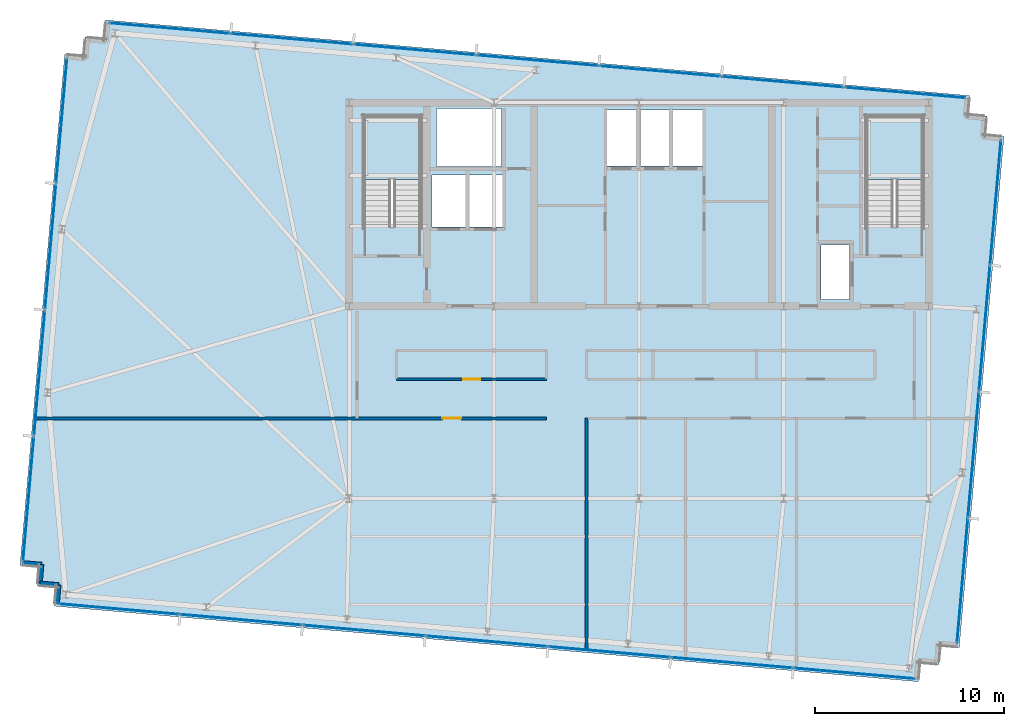
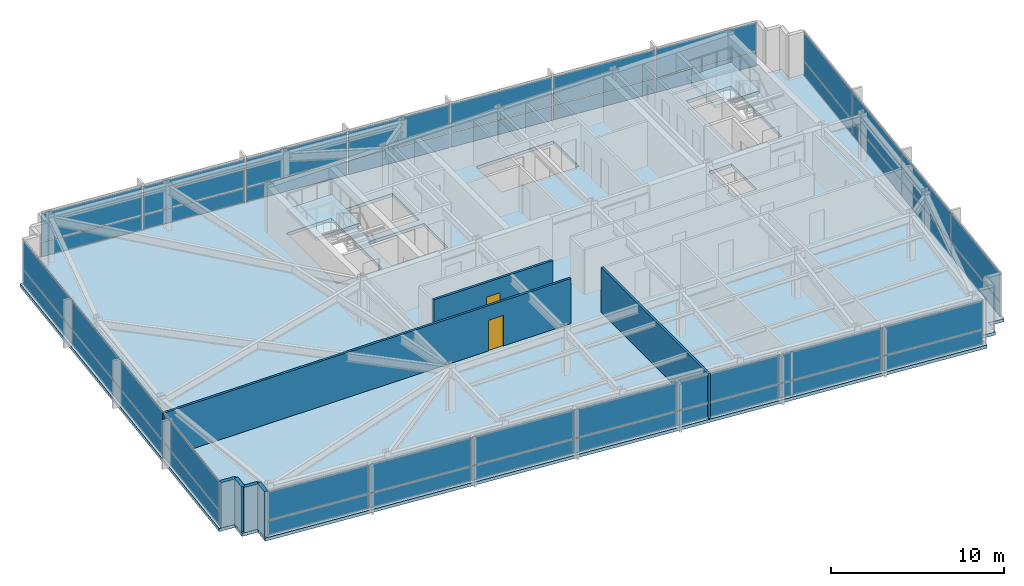
# One storey, part 17 of 24: 44 plates, 7 walls, 3 slabs, 2 doors, 2 openings, 6 elements without a shape of their own.
"""IFC4 building model written with IfcOpenShell, lengths in metres."""

from ifc_helpers import new_model, si_unit, direction, frame, frame_2d, origin, origin_2d, place, context, subcontext, project, spatial, polyline, rectangle, outline, extrude, material, layer, layer_set, type_object, element, fill, aggregate, save


model = new_model("IFC4")

# Units and contexts
model_context = context("Model", 3, precision=1e-05, world=origin(), true_north=direction((0.0, 1.0)))
body_context = subcontext(model_context, "Body", "Model", "MODEL_VIEW")
ifc_project = project(units=[si_unit("LENGTHUNIT", "METRE"), si_unit("AREAUNIT", "SQUARE_METRE"), si_unit("VOLUMEUNIT", "CUBIC_METRE"), si_unit("PLANEANGLEUNIT", "RADIAN"), si_unit("MASSUNIT", "GRAM", prefix="KILO")], contexts=[model_context])

# Site, building, storey
site_placement = place(None, origin())
site = spatial("IfcSite", under=ifc_project, at=site_placement, CompositionType="ELEMENT")
building_placement = place(site_placement, origin())
building = spatial("IfcBuilding", under=site, at=building_placement, Name="Yelkora Congress Tower", CompositionType="ELEMENT")
storey_placement = place(building_placement, frame((0.0, 0.0, 296.5)))
storey = spatial("IfcBuildingStorey", under=building, at=storey_placement, Name="L83", CompositionType="ELEMENT", Elevation=296.5)

# Curtain wall, plates
ifc_material_1 = material(Name="Anodised aluminium and insulated glass", Category="aluminium")
curtain_wall_type = type_object("IfcCurtainWallType", Name="CW-SYS-SKY", PredefinedType="NOTDEFINED", material=ifc_material_1)
curtain_wall_1_placement = place(storey_placement, origin())
curtain_wall_1 = element("IfcCurtainWall", 1, at=curtain_wall_1_placement, inside=storey, type_object=curtain_wall_type, Name="L83 Unitised Curtain Wall 5", PredefinedType="NOTDEFINED")
ifc_material_2 = material(Name="Structural laminated sky-lobby glass", Category="glass")
ifc_layer_1 = layer(ifc_material_2, 0.048095703125)
ifc_layer_set_1 = layer_set([ifc_layer_1], Name="Structural laminated sky-lobby glass")
plate_type = type_object("IfcPlateType", Name="PLT-PN-SKY", PredefinedType="CURTAIN_PANEL", material=ifc_layer_set_1)
plate_1_placement = place(storey_placement, frame((6.02197265625, 25.1630859375, 0.06982421875), z_axis=(0.0, 0.0, 1.0), x_axis=(0.08715473876, 0.996194785929, 0.0)))
plate_1 = element("IfcPlate", 2, at=plate_1_placement, type_object=plate_type, Name="CW-SKY panel 1.1", PredefinedType="CURTAIN_PANEL", context=body_context, shape_type="SweptSolid", body=[
    extrude(rectangle(XDim=6.617431640625, YDim=0.048095703125, at=origin_2d()), origin(), (0.0, 0.0, 1.0), 0.9951171875),
])
plate_2_placement = place(storey_placement, frame((6.02197265625, 25.1630859375, 1.135009765625), z_axis=(0.0, 0.0, 1.0), x_axis=(0.08715473876, 0.996194785929, 0.0)))
plate_2 = element("IfcPlate", 3, at=plate_2_placement, type_object=plate_type, Name="CW-SKY panel 1.2", PredefinedType="CURTAIN_PANEL", context=body_context, shape_type="SweptSolid", body=[
    extrude(rectangle(XDim=6.617431640625, YDim=0.048095703125, at=origin_2d()), origin(), (0.0, 0.0, 1.0), 1.97509765625),
])
plate_3_placement = place(storey_placement, frame((6.60693359375, 31.848876953125, 0.06982421875), z_axis=(0.0, 0.0, 1.0), x_axis=(0.08715473876, 0.996194785929, 0.0)))
plate_3 = element("IfcPlate", 4, at=plate_3_placement, type_object=plate_type, Name="CW-SKY panel 2.1", PredefinedType="CURTAIN_PANEL", context=body_context, shape_type="SweptSolid", body=[
    extrude(rectangle(XDim=6.655029296875, YDim=0.048095703125, at=origin_2d()), origin(), (0.0, 0.0, 1.0), 0.9951171875),
])
plate_4_placement = place(storey_placement, frame((6.60693359375, 31.848876953125, 1.135009765625), z_axis=(0.0, 0.0, 1.0), x_axis=(0.08715473876, 0.996194785929, 0.0)))
plate_4 = element("IfcPlate", 5, at=plate_4_placement, type_object=plate_type, Name="CW-SKY panel 2.2", PredefinedType="CURTAIN_PANEL", context=body_context, shape_type="SweptSolid", body=[
    extrude(rectangle(XDim=6.655029296875, YDim=0.048095703125, at=origin_2d()), origin(), (0.0, 0.0, 1.0), 1.97509765625),
])
plate_5_placement = place(storey_placement, frame((7.193359375, 38.55322265625, 0.06982421875), z_axis=(0.0, 0.0, 1.0), x_axis=(0.08715473876, 0.996194785929, 0.0)))
plate_5 = element("IfcPlate", 6, at=plate_5_placement, type_object=plate_type, Name="CW-SKY panel 3.1", PredefinedType="CURTAIN_PANEL", context=body_context, shape_type="SweptSolid", body=[
    extrude(rectangle(XDim=6.655029296875, YDim=0.048095703125, at=origin_2d()), origin(), (0.0, 0.0, 1.0), 0.9951171875),
])
plate_6_placement = place(storey_placement, frame((7.193359375, 38.55322265625, 1.135009765625), z_axis=(0.0, 0.0, 1.0), x_axis=(0.08715473876, 0.996194785929, 0.0)))
plate_6 = element("IfcPlate", 7, at=plate_6_placement, type_object=plate_type, Name="CW-SKY panel 3.2", PredefinedType="CURTAIN_PANEL", context=body_context, shape_type="SweptSolid", body=[
    extrude(rectangle(XDim=6.655029296875, YDim=0.048095703125, at=origin_2d()), origin(), (0.0, 0.0, 1.0), 1.97509765625),
])
plate_7_placement = place(storey_placement, frame((7.7783203125, 45.23876953125, 0.06982421875), z_axis=(0.0, 0.0, 1.0), x_axis=(0.08715473876, 0.996194785929, 0.0)))
plate_7 = element("IfcPlate", 8, at=plate_7_placement, type_object=plate_type, Name="CW-SKY panel 4.1", PredefinedType="CURTAIN_PANEL", context=body_context, shape_type="SweptSolid", body=[
    extrude(rectangle(XDim=6.617431640625, YDim=0.048095703125, at=origin_2d()), origin(), (0.0, 0.0, 1.0), 0.9951171875),
])
plate_8_placement = place(storey_placement, frame((7.7783203125, 45.23876953125, 1.135009765625), z_axis=(0.0, 0.0, 1.0), x_axis=(0.08715473876, 0.996194785929, 0.0)))
plate_8 = element("IfcPlate", 9, at=plate_8_placement, type_object=plate_type, Name="CW-SKY panel 4.2", PredefinedType="CURTAIN_PANEL", context=body_context, shape_type="SweptSolid", body=[
    extrude(rectangle(XDim=6.617431640625, YDim=0.048095703125, at=origin_2d()), origin(), (0.0, 0.0, 1.0), 1.97509765625),
])
aggregate(curtain_wall_1, [plate_1, plate_2, plate_3, plate_4, plate_5, plate_6, plate_7, plate_8])

curtain_wall_2_placement = place(storey_placement, origin())
curtain_wall_2 = element("IfcCurtainWall", 10, at=curtain_wall_2_placement, inside=storey, type_object=curtain_wall_type, Name="L83 Unitised Curtain Wall 10", PredefinedType="NOTDEFINED")
plate_9_placement = place(storey_placement, frame((13.511962890625, 50.1416015625, 0.06982421875), z_axis=(0.0, 0.0, 1.0), x_axis=(0.996194619601, -0.087156639893, 0.0)))
plate_9 = element("IfcPlate", 11, at=plate_9_placement, type_object=plate_type, Name="CW-SKY panel 1.1", PredefinedType="CURTAIN_PANEL", context=body_context, shape_type="SweptSolid", body=[
    extrude(rectangle(XDim=6.4189453125, YDim=0.048095703125, at=origin_2d()), origin(), (0.0, 0.0, 1.0), 0.9951171875),
])
plate_10_placement = place(storey_placement, frame((13.511962890625, 50.1416015625, 1.135009765625), z_axis=(0.0, 0.0, 1.0), x_axis=(0.996194619601, -0.087156639893, 0.0)))
plate_10 = element("IfcPlate", 12, at=plate_10_placement, type_object=plate_type, Name="CW-SKY panel 1.2", PredefinedType="CURTAIN_PANEL", context=body_context, shape_type="SweptSolid", body=[
    extrude(rectangle(XDim=6.4189453125, YDim=0.048095703125, at=origin_2d()), origin(), (0.0, 0.0, 1.0), 1.97509765625),
])
plate_11_placement = place(storey_placement, frame((19.999755859375, 49.573974609375, 0.06982421875), z_axis=(0.0, 0.0, 1.0), x_axis=(0.996194619601, -0.087156639893, 0.0)))
plate_11 = element("IfcPlate", 13, at=plate_11_placement, type_object=plate_type, Name="CW-SKY panel 2.1", PredefinedType="CURTAIN_PANEL", context=body_context, shape_type="SweptSolid", body=[
    extrude(rectangle(XDim=6.45654296875, YDim=0.048095703125, at=origin_2d()), origin(), (0.0, 0.0, 1.0), 0.9951171875),
])
plate_12_placement = place(storey_placement, frame((19.999755859375, 49.573974609375, 1.135009765625), z_axis=(0.0, 0.0, 1.0), x_axis=(0.996194619601, -0.087156639893, 0.0)))
plate_12 = element("IfcPlate", 14, at=plate_12_placement, type_object=plate_type, Name="CW-SKY panel 2.2", PredefinedType="CURTAIN_PANEL", context=body_context, shape_type="SweptSolid", body=[
    extrude(rectangle(XDim=6.45654296875, YDim=0.048095703125, at=origin_2d()), origin(), (0.0, 0.0, 1.0), 1.97509765625),
])
plate_13_placement = place(storey_placement, frame((26.50634765625, 49.004638671875, 0.06982421875), z_axis=(0.0, 0.0, 1.0), x_axis=(0.996194619601, -0.087156639893, 0.0)))
plate_13 = element("IfcPlate", 15, at=plate_13_placement, type_object=plate_type, Name="CW-SKY panel 3.1", PredefinedType="CURTAIN_PANEL", context=body_context, shape_type="SweptSolid", body=[
    extrude(rectangle(XDim=6.45654296875, YDim=0.048095703125, at=origin_2d()), origin(), (0.0, 0.0, 1.0), 0.9951171875),
])
plate_14_placement = place(storey_placement, frame((26.50634765625, 49.004638671875, 1.135009765625), z_axis=(0.0, 0.0, 1.0), x_axis=(0.996194619601, -0.087156639893, 0.0)))
plate_14 = element("IfcPlate", 16, at=plate_14_placement, type_object=plate_type, Name="CW-SKY panel 3.2", PredefinedType="CURTAIN_PANEL", context=body_context, shape_type="SweptSolid", body=[
    extrude(rectangle(XDim=6.45654296875, YDim=0.048095703125, at=origin_2d()), origin(), (0.0, 0.0, 1.0), 1.97509765625),
])
plate_15_placement = place(storey_placement, frame((33.012939453125, 48.435302734375, 0.06982421875), z_axis=(0.0, 0.0, 1.0), x_axis=(0.996194619601, -0.087156639893, 0.0)))
plate_15 = element("IfcPlate", 17, at=plate_15_placement, type_object=plate_type, Name="CW-SKY panel 4.1", PredefinedType="CURTAIN_PANEL", context=body_context, shape_type="SweptSolid", body=[
    extrude(rectangle(XDim=6.45654296875, YDim=0.048095703125, at=origin_2d()), origin(), (0.0, 0.0, 1.0), 0.9951171875),
])
plate_16_placement = place(storey_placement, frame((33.012939453125, 48.435302734375, 1.135009765625), z_axis=(0.0, 0.0, 1.0), x_axis=(0.996194619601, -0.087156639893, 0.0)))
plate_16 = element("IfcPlate", 18, at=plate_16_placement, type_object=plate_type, Name="CW-SKY panel 4.2", PredefinedType="CURTAIN_PANEL", context=body_context, shape_type="SweptSolid", body=[
    extrude(rectangle(XDim=6.45654296875, YDim=0.048095703125, at=origin_2d()), origin(), (0.0, 0.0, 1.0), 1.97509765625),
])
plate_17_placement = place(storey_placement, frame((39.51953125, 47.8662109375, 0.06982421875), z_axis=(0.0, 0.0, 1.0), x_axis=(0.996194619601, -0.087156639893, 0.0)))
plate_17 = element("IfcPlate", 19, at=plate_17_placement, type_object=plate_type, Name="CW-SKY panel 5.1", PredefinedType="CURTAIN_PANEL", context=body_context, shape_type="SweptSolid", body=[
    extrude(rectangle(XDim=6.45654296875, YDim=0.048095703125, at=origin_2d()), origin(), (0.0, 0.0, 1.0), 0.9951171875),
])
plate_18_placement = place(storey_placement, frame((39.51953125, 47.8662109375, 1.135009765625), z_axis=(0.0, 0.0, 1.0), x_axis=(0.996194619601, -0.087156639893, 0.0)))
plate_18 = element("IfcPlate", 20, at=plate_18_placement, type_object=plate_type, Name="CW-SKY panel 5.2", PredefinedType="CURTAIN_PANEL", context=body_context, shape_type="SweptSolid", body=[
    extrude(rectangle(XDim=6.45654296875, YDim=0.048095703125, at=origin_2d()), origin(), (0.0, 0.0, 1.0), 1.97509765625),
])
plate_19_placement = place(storey_placement, frame((46.026123046875, 47.296875, 0.06982421875), z_axis=(0.0, 0.0, 1.0), x_axis=(0.996194619601, -0.087156639893, 0.0)))
plate_19 = element("IfcPlate", 21, at=plate_19_placement, type_object=plate_type, Name="CW-SKY panel 6.1", PredefinedType="CURTAIN_PANEL", context=body_context, shape_type="SweptSolid", body=[
    extrude(rectangle(XDim=6.45654296875, YDim=0.048095703125, at=origin_2d()), origin(), (0.0, 0.0, 1.0), 0.9951171875),
])
plate_20_placement = place(storey_placement, frame((46.026123046875, 47.296875, 1.135009765625), z_axis=(0.0, 0.0, 1.0), x_axis=(0.996194619601, -0.087156639893, 0.0)))
plate_20 = element("IfcPlate", 22, at=plate_20_placement, type_object=plate_type, Name="CW-SKY panel 6.2", PredefinedType="CURTAIN_PANEL", context=body_context, shape_type="SweptSolid", body=[
    extrude(rectangle(XDim=6.45654296875, YDim=0.048095703125, at=origin_2d()), origin(), (0.0, 0.0, 1.0), 1.97509765625),
])
plate_21_placement = place(storey_placement, frame((52.513916015625, 46.729248046875, 0.06982421875), z_axis=(0.0, 0.0, 1.0), x_axis=(0.996194619601, -0.087156639893, 0.0)))
plate_21 = element("IfcPlate", 23, at=plate_21_placement, type_object=plate_type, Name="CW-SKY panel 7.1", PredefinedType="CURTAIN_PANEL", context=body_context, shape_type="SweptSolid", body=[
    extrude(rectangle(XDim=6.4189453125, YDim=0.048095703125, at=origin_2d()), origin(), (0.0, 0.0, 1.0), 0.9951171875),
])
plate_22_placement = place(storey_placement, frame((52.513916015625, 46.729248046875, 1.135009765625), z_axis=(0.0, 0.0, 1.0), x_axis=(0.996194619601, -0.087156639893, 0.0)))
plate_22 = element("IfcPlate", 24, at=plate_22_placement, type_object=plate_type, Name="CW-SKY panel 7.2", PredefinedType="CURTAIN_PANEL", context=body_context, shape_type="SweptSolid", body=[
    extrude(rectangle(XDim=6.4189453125, YDim=0.048095703125, at=origin_2d()), origin(), (0.0, 0.0, 1.0), 1.97509765625),
])
aggregate(curtain_wall_2, [plate_9, plate_10, plate_11, plate_12, plate_13, plate_14, plate_15, plate_16, plate_17, plate_18, plate_19, plate_20, plate_21, plate_22])

curtain_wall_3_placement = place(storey_placement, origin())
curtain_wall_3 = element("IfcCurtainWall", 25, at=curtain_wall_3_placement, inside=storey, type_object=curtain_wall_type, Name="L83 Unitised Curtain Wall 15", PredefinedType="NOTDEFINED")
plate_23_placement = place(storey_placement, frame((57.30908203125, 40.905517578125, 0.06982421875), z_axis=(0.0, 0.0, 1.0), x_axis=(-0.087158425264, -0.996194463398, 0.0)))
plate_23 = element("IfcPlate", 26, at=plate_23_placement, type_object=plate_type, Name="CW-SKY panel 1.1", PredefinedType="CURTAIN_PANEL", context=body_context, shape_type="SweptSolid", body=[
    extrude(rectangle(XDim=6.617431640625, YDim=0.048095703125, at=origin_2d()), origin(), (0.0, 0.0, 1.0), 0.9951171875),
])
plate_24_placement = place(storey_placement, frame((57.30908203125, 40.905517578125, 1.135009765625), z_axis=(0.0, 0.0, 1.0), x_axis=(-0.087158425264, -0.996194463398, 0.0)))
plate_24 = element("IfcPlate", 27, at=plate_24_placement, type_object=plate_type, Name="CW-SKY panel 1.2", PredefinedType="CURTAIN_PANEL", context=body_context, shape_type="SweptSolid", body=[
    extrude(rectangle(XDim=6.617431640625, YDim=0.048095703125, at=origin_2d()), origin(), (0.0, 0.0, 1.0), 1.97509765625),
])
plate_25_placement = place(storey_placement, frame((56.72412109375, 34.2197265625, 0.06982421875), z_axis=(0.0, 0.0, 1.0), x_axis=(-0.087158425264, -0.996194463398, 0.0)))
plate_25 = element("IfcPlate", 28, at=plate_25_placement, type_object=plate_type, Name="CW-SKY panel 2.1", PredefinedType="CURTAIN_PANEL", context=body_context, shape_type="SweptSolid", body=[
    extrude(rectangle(XDim=6.655029296875, YDim=0.048095703125, at=origin_2d()), origin(), (0.0, 0.0, 1.0), 0.9951171875),
])
plate_26_placement = place(storey_placement, frame((56.72412109375, 34.2197265625, 1.135009765625), z_axis=(0.0, 0.0, 1.0), x_axis=(-0.087158425264, -0.996194463398, 0.0)))
plate_26 = element("IfcPlate", 29, at=plate_26_placement, type_object=plate_type, Name="CW-SKY panel 2.2", PredefinedType="CURTAIN_PANEL", context=body_context, shape_type="SweptSolid", body=[
    extrude(rectangle(XDim=6.655029296875, YDim=0.048095703125, at=origin_2d()), origin(), (0.0, 0.0, 1.0), 1.97509765625),
])
plate_27_placement = place(storey_placement, frame((56.1376953125, 27.515380859375, 0.06982421875), z_axis=(0.0, 0.0, 1.0), x_axis=(-0.087158425264, -0.996194463398, 0.0)))
plate_27 = element("IfcPlate", 30, at=plate_27_placement, type_object=plate_type, Name="CW-SKY panel 3.1", PredefinedType="CURTAIN_PANEL", context=body_context, shape_type="SweptSolid", body=[
    extrude(rectangle(XDim=6.655029296875, YDim=0.048095703125, at=origin_2d()), origin(), (0.0, 0.0, 1.0), 0.9951171875),
])
plate_28_placement = place(storey_placement, frame((56.1376953125, 27.515380859375, 1.135009765625), z_axis=(0.0, 0.0, 1.0), x_axis=(-0.087158425264, -0.996194463398, 0.0)))
plate_28 = element("IfcPlate", 31, at=plate_28_placement, type_object=plate_type, Name="CW-SKY panel 3.2", PredefinedType="CURTAIN_PANEL", context=body_context, shape_type="SweptSolid", body=[
    extrude(rectangle(XDim=6.655029296875, YDim=0.048095703125, at=origin_2d()), origin(), (0.0, 0.0, 1.0), 1.97509765625),
])
plate_29_placement = place(storey_placement, frame((55.552734375, 20.82958984375, 0.06982421875), z_axis=(0.0, 0.0, 1.0), x_axis=(-0.087158425264, -0.996194463398, 0.0)))
plate_29 = element("IfcPlate", 32, at=plate_29_placement, type_object=plate_type, Name="CW-SKY panel 4.1", PredefinedType="CURTAIN_PANEL", context=body_context, shape_type="SweptSolid", body=[
    extrude(rectangle(XDim=6.617431640625, YDim=0.048095703125, at=origin_2d()), origin(), (0.0, 0.0, 1.0), 0.9951171875),
])
plate_30_placement = place(storey_placement, frame((55.552734375, 20.82958984375, 1.135009765625), z_axis=(0.0, 0.0, 1.0), x_axis=(-0.087158425264, -0.996194463398, 0.0)))
plate_30 = element("IfcPlate", 33, at=plate_30_placement, type_object=plate_type, Name="CW-SKY panel 4.2", PredefinedType="CURTAIN_PANEL", context=body_context, shape_type="SweptSolid", body=[
    extrude(rectangle(XDim=6.617431640625, YDim=0.048095703125, at=origin_2d()), origin(), (0.0, 0.0, 1.0), 1.97509765625),
])
aggregate(curtain_wall_3, [plate_23, plate_24, plate_25, plate_26, plate_27, plate_28, plate_29, plate_30])

curtain_wall_4_placement = place(storey_placement, origin())
curtain_wall_4 = element("IfcCurtainWall", 34, at=curtain_wall_4_placement, inside=storey, type_object=curtain_wall_type, Name="L83 Unitised Curtain Wall 20", PredefinedType="NOTDEFINED")
plate_31_placement = place(storey_placement, frame((49.819091796875, 15.927001953125, 0.06982421875), z_axis=(0.0, 0.0, 1.0), x_axis=(-0.996194602987, 0.087156829793, 0.0)))
plate_31 = element("IfcPlate", 35, at=plate_31_placement, type_object=plate_type, Name="CW-SKY panel 1.1", PredefinedType="CURTAIN_PANEL", context=body_context, shape_type="SweptSolid", body=[
    extrude(rectangle(XDim=6.4189453125, YDim=0.048095703125, at=origin_2d()), origin(), (0.0, 0.0, 1.0), 0.9951171875),
])
plate_32_placement = place(storey_placement, frame((49.819091796875, 15.927001953125, 1.135009765625), z_axis=(0.0, 0.0, 1.0), x_axis=(-0.996194602987, 0.087156829793, 0.0)))
plate_32 = element("IfcPlate", 36, at=plate_32_placement, type_object=plate_type, Name="CW-SKY panel 1.2", PredefinedType="CURTAIN_PANEL", context=body_context, shape_type="SweptSolid", body=[
    extrude(rectangle(XDim=6.4189453125, YDim=0.048095703125, at=origin_2d()), origin(), (0.0, 0.0, 1.0), 1.97509765625),
])
plate_33_placement = place(storey_placement, frame((43.331298828125, 16.49462890625, 0.06982421875), z_axis=(0.0, 0.0, 1.0), x_axis=(-0.996194602987, 0.087156829793, 0.0)))
plate_33 = element("IfcPlate", 37, at=plate_33_placement, type_object=plate_type, Name="CW-SKY panel 2.1", PredefinedType="CURTAIN_PANEL", context=body_context, shape_type="SweptSolid", body=[
    extrude(rectangle(XDim=6.456298828125, YDim=0.048095703125, at=origin_2d()), origin(), (0.0, 0.0, 1.0), 0.9951171875),
])
plate_34_placement = place(storey_placement, frame((43.331298828125, 16.49462890625, 1.135009765625), z_axis=(0.0, 0.0, 1.0), x_axis=(-0.996194602987, 0.087156829793, 0.0)))
plate_34 = element("IfcPlate", 38, at=plate_34_placement, type_object=plate_type, Name="CW-SKY panel 2.2", PredefinedType="CURTAIN_PANEL", context=body_context, shape_type="SweptSolid", body=[
    extrude(rectangle(XDim=6.456298828125, YDim=0.048095703125, at=origin_2d()), origin(), (0.0, 0.0, 1.0), 1.97509765625),
])
plate_35_placement = place(storey_placement, frame((36.82470703125, 17.06396484375, 0.06982421875), z_axis=(0.0, 0.0, 1.0), x_axis=(-0.996194602987, 0.087156829793, 0.0)))
plate_35 = element("IfcPlate", 39, at=plate_35_placement, type_object=plate_type, Name="CW-SKY panel 3.1", PredefinedType="CURTAIN_PANEL", context=body_context, shape_type="SweptSolid", body=[
    extrude(rectangle(XDim=6.456298828125, YDim=0.048095703125, at=origin_2d()), origin(), (0.0, 0.0, 1.0), 0.9951171875),
])
plate_36_placement = place(storey_placement, frame((36.82470703125, 17.06396484375, 1.135009765625), z_axis=(0.0, 0.0, 1.0), x_axis=(-0.996194602987, 0.087156829793, 0.0)))
plate_36 = element("IfcPlate", 40, at=plate_36_placement, type_object=plate_type, Name="CW-SKY panel 3.2", PredefinedType="CURTAIN_PANEL", context=body_context, shape_type="SweptSolid", body=[
    extrude(rectangle(XDim=6.456298828125, YDim=0.048095703125, at=origin_2d()), origin(), (0.0, 0.0, 1.0), 1.97509765625),
])
plate_37_placement = place(storey_placement, frame((30.318115234375, 17.633056640625, 0.06982421875), z_axis=(0.0, 0.0, 1.0), x_axis=(-0.996194602987, 0.087156829793, 0.0)))
plate_37 = element("IfcPlate", 41, at=plate_37_placement, type_object=plate_type, Name="CW-SKY panel 4.1", PredefinedType="CURTAIN_PANEL", context=body_context, shape_type="SweptSolid", body=[
    extrude(rectangle(XDim=6.456298828125, YDim=0.048095703125, at=origin_2d()), origin(), (0.0, 0.0, 1.0), 0.9951171875),
])
plate_38_placement = place(storey_placement, frame((30.318115234375, 17.633056640625, 1.135009765625), z_axis=(0.0, 0.0, 1.0), x_axis=(-0.996194602987, 0.087156829793, 0.0)))
plate_38 = element("IfcPlate", 42, at=plate_38_placement, type_object=plate_type, Name="CW-SKY panel 4.2", PredefinedType="CURTAIN_PANEL", context=body_context, shape_type="SweptSolid", body=[
    extrude(rectangle(XDim=6.456298828125, YDim=0.048095703125, at=origin_2d()), origin(), (0.0, 0.0, 1.0), 1.97509765625),
])
plate_39_placement = place(storey_placement, frame((23.8115234375, 18.202392578125, 0.06982421875), z_axis=(0.0, 0.0, 1.0), x_axis=(-0.996194602987, 0.087156829793, 0.0)))
plate_39 = element("IfcPlate", 43, at=plate_39_placement, type_object=plate_type, Name="CW-SKY panel 5.1", PredefinedType="CURTAIN_PANEL", context=body_context, shape_type="SweptSolid", body=[
    extrude(rectangle(XDim=6.456298828125, YDim=0.048095703125, at=origin_2d()), origin(), (0.0, 0.0, 1.0), 0.9951171875),
])
plate_40_placement = place(storey_placement, frame((23.8115234375, 18.202392578125, 1.135009765625), z_axis=(0.0, 0.0, 1.0), x_axis=(-0.996194602987, 0.087156829793, 0.0)))
plate_40 = element("IfcPlate", 44, at=plate_40_placement, type_object=plate_type, Name="CW-SKY panel 5.2", PredefinedType="CURTAIN_PANEL", context=body_context, shape_type="SweptSolid", body=[
    extrude(rectangle(XDim=6.456298828125, YDim=0.048095703125, at=origin_2d()), origin(), (0.0, 0.0, 1.0), 1.97509765625),
])
plate_41_placement = place(storey_placement, frame((17.304931640625, 18.771728515625, 0.06982421875), z_axis=(0.0, 0.0, 1.0), x_axis=(-0.996194602987, 0.087156829793, 0.0)))
plate_41 = element("IfcPlate", 45, at=plate_41_placement, type_object=plate_type, Name="CW-SKY panel 6.1", PredefinedType="CURTAIN_PANEL", context=body_context, shape_type="SweptSolid", body=[
    extrude(rectangle(XDim=6.456298828125, YDim=0.048095703125, at=origin_2d()), origin(), (0.0, 0.0, 1.0), 0.9951171875),
])
plate_42_placement = place(storey_placement, frame((17.304931640625, 18.771728515625, 1.135009765625), z_axis=(0.0, 0.0, 1.0), x_axis=(-0.996194602987, 0.087156829793, 0.0)))
plate_42 = element("IfcPlate", 46, at=plate_42_placement, type_object=plate_type, Name="CW-SKY panel 6.2", PredefinedType="CURTAIN_PANEL", context=body_context, shape_type="SweptSolid", body=[
    extrude(rectangle(XDim=6.456298828125, YDim=0.048095703125, at=origin_2d()), origin(), (0.0, 0.0, 1.0), 1.97509765625),
])
plate_43_placement = place(storey_placement, frame((10.817138671875, 19.33935546875, 0.06982421875), z_axis=(0.0, 0.0, 1.0), x_axis=(-0.996194602987, 0.087156829793, 0.0)))
plate_43 = element("IfcPlate", 47, at=plate_43_placement, type_object=plate_type, Name="CW-SKY panel 7.1", PredefinedType="CURTAIN_PANEL", context=body_context, shape_type="SweptSolid", body=[
    extrude(rectangle(XDim=6.4189453125, YDim=0.048095703125, at=origin_2d()), origin(), (0.0, 0.0, 1.0), 0.9951171875),
])
plate_44_placement = place(storey_placement, frame((10.817138671875, 19.33935546875, 1.135009765625), z_axis=(0.0, 0.0, 1.0), x_axis=(-0.996194602987, 0.087156829793, 0.0)))
plate_44 = element("IfcPlate", 48, at=plate_44_placement, type_object=plate_type, Name="CW-SKY panel 7.2", PredefinedType="CURTAIN_PANEL", context=body_context, shape_type="SweptSolid", body=[
    extrude(rectangle(XDim=6.4189453125, YDim=0.048095703125, at=origin_2d()), origin(), (0.0, 0.0, 1.0), 1.97509765625),
])
aggregate(curtain_wall_4, [plate_31, plate_32, plate_33, plate_34, plate_35, plate_36, plate_37, plate_38, plate_39, plate_40, plate_41, plate_42, plate_43, plate_44])

# Stair, slab
ifc_material_3 = material(Name="Concrete C40/50", Category="concrete")
stair_type = type_object("IfcStairType", Name="STAIR-HT-1420-R20-170", PredefinedType="HALF_TURN_STAIR", material=ifc_material_3)
stair_1_placement = place(storey_placement, origin())
stair_1 = element("IfcStair", 49, at=stair_1_placement, inside=storey, type_object=stair_type, Name="West Core Protected Exit Stair ST-01 (L83)", PredefinedType="HALF_TURN_STAIR")
ifc_layer_2 = layer(ifc_material_3, 0.219970703125)
ifc_layer_set_2 = layer_set([ifc_layer_2], Name="Concrete C40/50")
slab_type_1 = type_object("IfcSlabType", Name="SLAB-LANDING-220", PredefinedType="LANDING", material=ifc_layer_set_2)
slab_1_placement = place(storey_placement, frame((0.0, 0.0, 1.47998046875)))
slab_1 = element("IfcSlab", 50, at=slab_1_placement, type_object=slab_type_1, Name="ST-01 L83 Half Landing 1", PredefinedType="LANDING", context=body_context, shape_type="SweptSolid", body=[
    extrude(outline(polyline([(26.820068359375, 42.1201171875), (26.820068359375, 45.469970703125), (23.820068359375, 45.469970703125), (23.820068359375, 42.1201171875), (26.820068359375, 42.1201171875)])), origin(), (0.0, 0.0, 1.0), 0.219970703125),
])
aggregate(stair_1, [slab_1])

stair_2_placement = place(storey_placement, origin())
stair_2 = element("IfcStair", 51, at=stair_2_placement, inside=storey, type_object=stair_type, Name="East Core Protected Exit Stair ST-02 (L83)", PredefinedType="HALF_TURN_STAIR")
slab_2_placement = place(storey_placement, frame((0.0, 0.0, 1.47998046875)))
slab_2 = element("IfcSlab", 52, at=slab_2_placement, type_object=slab_type_1, Name="ST-02 L83 Half Landing 1", PredefinedType="LANDING", context=body_context, shape_type="SweptSolid", body=[
    extrude(outline(polyline([(53.4599609375, 42.1201171875), (53.4599609375, 45.469970703125), (50.4599609375, 45.469970703125), (50.4599609375, 42.1201171875), (53.4599609375, 42.1201171875)])), origin(), (0.0, 0.0, 1.0), 0.219970703125),
])
aggregate(stair_2, [slab_2])

# Slab
ifc_layer_3 = layer(ifc_material_3, 0.219970703125)
ifc_layer_set_3 = layer_set([ifc_layer_3], Name="Concrete C40/50")
slab_type_2 = type_object("IfcSlabType", Name="SLAB-TWR-220", PredefinedType="FLOOR", material=ifc_layer_set_3)
slab_3_placement = place(storey_placement, frame((0.0, 0.0, -0.219970703125)))
element("IfcSlab", 53, at=slab_3_placement, inside=storey, type_object=slab_type_2, Name="L83 Structural Floor Slab", PredefinedType="FLOOR", context=body_context, shape_type="SweptSolid", body=[
    extrude(outline(polyline([(7.3935546875, 19.498291015625), (53.218505859375, 15.489013671875), (53.3056640625, 16.485107421875), (54.3017578125, 16.398193359375), (54.388916015625, 17.394287109375), (55.385009765625, 17.30712890625), (57.755859375, 44.403564453125), (56.759521484375, 44.49072265625), (56.8466796875, 45.487060546875), (55.8505859375, 45.57421875), (55.937744140625, 46.5703125), (10.11279296875, 50.57958984375), (10.025634765625, 49.583251953125), (9.029296875, 49.67041015625), (8.942138671875, 48.67431640625), (7.946044921875, 48.761474609375), (5.575439453125, 21.664794921875), (6.571533203125, 21.57763671875), (6.484619140625, 20.58154296875), (7.480712890625, 20.494384765625), (7.3935546875, 19.498291015625)]), holes=[polyline([(23.820068359375, 39.6298828125), (26.820068359375, 39.6298828125), (26.820068359375, 45.469970703125), (23.820068359375, 45.469970703125), (23.820068359375, 39.6298828125)]), polyline([(50.4599609375, 39.6298828125), (53.4599609375, 39.6298828125), (53.4599609375, 45.469970703125), (50.4599609375, 45.469970703125), (50.4599609375, 39.6298828125)]), polyline([(48.050048828125, 35.75), (49.550048828125, 35.75), (49.550048828125, 38.64990234375), (48.050048828125, 38.64990234375), (48.050048828125, 35.75)]), polyline([(36.64990234375, 42.85009765625), (41.800048828125, 42.85009765625), (41.800048828125, 45.800048828125), (36.64990234375, 45.800048828125), (36.64990234375, 42.85009765625)]), polyline([(27.419921875, 39.60009765625), (31.179931640625, 39.60009765625), (31.179931640625, 42.35009765625), (27.419921875, 42.35009765625), (27.419921875, 39.60009765625)]), polyline([(27.64990234375, 42.820068359375), (31.1201171875, 42.820068359375), (31.1201171875, 45.8798828125), (27.64990234375, 45.8798828125), (27.64990234375, 42.820068359375)])]), origin(), (0.0, 0.0, 1.0), 0.219970703125),
])

# Walls
ifc_layer_4 = layer(ifc_material_3, 0.239990234375)
ifc_layer_set_4 = layer_set([ifc_layer_4], Name="Concrete C40/50")
wall_type_1 = type_object("IfcWallType", Name="WALL-EXT-LIMESTONE-240", PredefinedType="SOLIDWALL", material=ifc_layer_set_4)
for number, where, z_axis, x_axis, name in (
    (54, (7.545166015625, 19.62548828125, 0.0), (0.0, 0.0, 1.0), (0.087166950281, 0.996193717496, 0.0), "L83 Serrated Corner Limestone Pier 1"),
    (55, (7.63232421875, 20.62158203125, 0.0), (0.0, 0.0, 1.0), (-0.996193717496, 0.087166950281, 0.0), "L83 Serrated Corner Limestone Pier 2"),
):
    element("IfcWall", number, at=place(storey_placement, frame(where, z_axis=z_axis, x_axis=x_axis)), inside=storey, type_object=wall_type_1, Name=name, PredefinedType="SOLIDWALL", context=body_context, shape_type="SweptSolid", body=[
        extrude(rectangle(XDim=1.0, YDim=0.239990234375, at=frame_2d((0.5, 0.0))), origin(), (0.0, 0.0, 1.0), 3.179931640625),
    ])
for number, where, z_axis, x_axis, name in (
    (56, (6.63623046875, 20.708740234375, 0.0), (0.0, 0.0, 1.0), (0.087145753297, 0.996195572005, 0.0), "L83 Serrated Corner Limestone Pier 3"),
    (57, (6.723388671875, 21.705078125, 0.0), (0.0, 0.0, 1.0), (-0.996195572005, 0.087145753297, 0.0), "L83 Serrated Corner Limestone Pier 4"),
):
    element("IfcWall", number, at=place(storey_placement, frame(where, z_axis=z_axis, x_axis=x_axis)), inside=storey, type_object=wall_type_1, Name=name, PredefinedType="SOLIDWALL", context=body_context, shape_type="SweptSolid", body=[
        extrude(rectangle(XDim=1.000244140625, YDim=0.239990234375, at=frame_2d((0.5, 0.0))), origin(), (0.0, 0.0, 1.0), 3.179931640625),
    ])
ifc_material_4 = material(Name="Acoustic metal-stud gypsum partition", Category="gypsum")
ifc_layer_5 = layer(ifc_material_4, 0.14990234375)
ifc_layer_set_5 = layer_set([ifc_layer_5], Name="Acoustic metal-stud gypsum partition")
wall_type_2 = type_object("IfcWallType", Name="WALL-INT-150-NR", PredefinedType="PARTITIONING", material=ifc_layer_set_5)
wall_1_placement = place(storey_placement, frame((35.6201171875, 17.10888671875, 0.0), z_axis=(0.0, 0.0, 1.0), x_axis=(0.0, 1.0, 0.0)))
element("IfcWall", 58, at=wall_1_placement, inside=storey, type_object=wall_type_2, Name="L83 Partition Wall 24", PredefinedType="PARTITIONING", context=body_context, shape_type="SweptSolid", body=[
    extrude(rectangle(XDim=12.361083984375, YDim=0.14990234375, at=frame_2d((6.1806640625, 0.0))), origin(), (0.0, 0.0, 1.0), 3.179931640625),
])

# Wall, opening, door
wall_2_placement = place(storey_placement, frame((6.3369140625, 29.449951171875, 0.0), z_axis=(0.0, 0.0, 1.0), x_axis=(1.0, 0.0, 0.0)))
wall_2 = element("IfcWall", 59, at=wall_2_placement, inside=storey, type_object=wall_type_2, Name="L83 South Spine Wall West", PredefinedType="PARTITIONING", context=body_context, shape_type="SweptSolid", body=[
    extrude(rectangle(XDim=27.1630859375, YDim=0.14990234375, at=frame_2d((13.58154296875, 0.0))), origin(), (0.0, 0.0, 1.0), 3.179931640625),
])
opening_1_placement = place(wall_2_placement, frame((21.63330078125, 0.0, 0.0)))
opening_1 = element("IfcOpeningElement", 60, at=opening_1_placement, cuts=wall_2, Name="Opening DR-100N", PredefinedType="OPENING", context=body_context, shape_type="SweptSolid", body=[
    extrude(rectangle(XDim=1.0, YDim=2.14990234375, at=frame_2d((0.5, 1.074951171875))), frame((0.0, 0.0849609375, 0.0), z_axis=(0.0, -1.0, 0.0), x_axis=(1.0, 0.0, 0.0)), (0.0, 0.0, 1.0), 0.169921875),
])
ifc_material_5 = material(Name="Solid-core Anatolian oak veneer door", Category="wood")
door_type_1 = type_object("IfcDoorType", Name="DOOR-INT-1000", OperationType="NOTDEFINED", PredefinedType="DOOR", material=ifc_material_5)
door_1_placement = place(opening_1_placement, origin())
door_1 = element("IfcDoor", 61, at=door_1_placement, inside=storey, type_object=door_type_1, Name="L83 Observation Sky Gallery Door", OperationType="SINGLE_SWING_LEFT", OverallHeight=2.14990234375, OverallWidth=1.0, PredefinedType="DOOR", context=body_context, shape_type="SweptSolid", body=[
    extrude(rectangle(XDim=1.0, YDim=2.14990234375, at=frame_2d((0.5, 1.074951171875))), frame((0.0, 0.02490234375, 0.0), z_axis=(0.0, -1.0, 0.0), x_axis=(1.0, 0.0, 0.0)), (0.0, 0.0, 1.0), 0.050048828125),
])
fill(opening_1, door_1)

wall_3_placement = place(storey_placement, frame((25.550048828125, 31.530029296875, 0.0), z_axis=(0.0, 0.0, 1.0), x_axis=(1.0, 0.0, 0.0)))
wall_3 = element("IfcWall", 62, at=wall_3_placement, inside=storey, type_object=wall_type_2, Name="L83 Partition Wall 37", PredefinedType="PARTITIONING", context=body_context, shape_type="SweptSolid", body=[
    extrude(rectangle(XDim=7.93994140625, YDim=0.14990234375, at=frame_2d((3.969970703125, 0.0))), origin(), (0.0, 0.0, 1.0), 3.179931640625),
])
opening_2_placement = place(wall_3_placement, frame((3.52001953125, 0.0, 0.0)))
opening_2 = element("IfcOpeningElement", 63, at=opening_2_placement, cuts=wall_3, Name="Opening DR-090N", PredefinedType="OPENING", context=body_context, shape_type="SweptSolid", body=[
    extrude(rectangle(XDim=0.89990234375, YDim=2.14990234375, at=frame_2d((0.449951171875, 1.074951171875))), frame((0.0, 0.0849609375, 0.0), z_axis=(0.0, -1.0, 0.0), x_axis=(1.0, 0.0, 0.0)), (0.0, 0.0, 1.0), 0.169921875),
])
ifc_material_6 = material(Name="Moisture-resistant laminate door leaf", Category="wood")
door_type_2 = type_object("IfcDoorType", Name="DOOR-INT-900", OperationType="NOTDEFINED", PredefinedType="DOOR", material=ifc_material_6)
door_2_placement = place(opening_2_placement, origin())
door_2 = element("IfcDoor", 64, at=door_2_placement, inside=storey, type_object=door_type_2, Name="L83 Security Control Room Door", OperationType="SINGLE_SWING_LEFT", OverallHeight=2.14990234375, OverallWidth=0.89990234375, PredefinedType="DOOR", context=body_context, shape_type="SweptSolid", body=[
    extrude(rectangle(XDim=0.89990234375, YDim=2.14990234375, at=frame_2d((0.449951171875, 1.074951171875))), frame((0.0, 0.02490234375, 0.0), z_axis=(0.0, -1.0, 0.0), x_axis=(1.0, 0.0, 0.0)), (0.0, 0.0, 1.0), 0.050048828125),
])
fill(opening_2, door_2)

save(model, "model.ifc")
